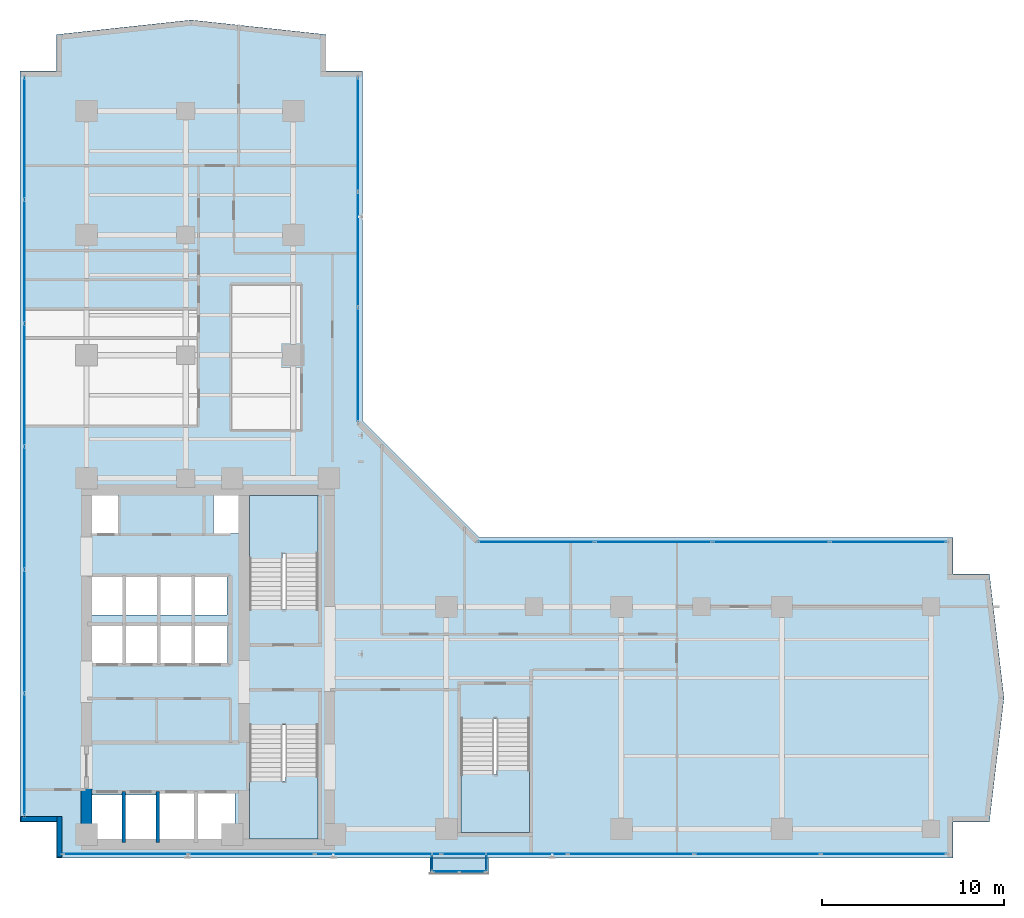
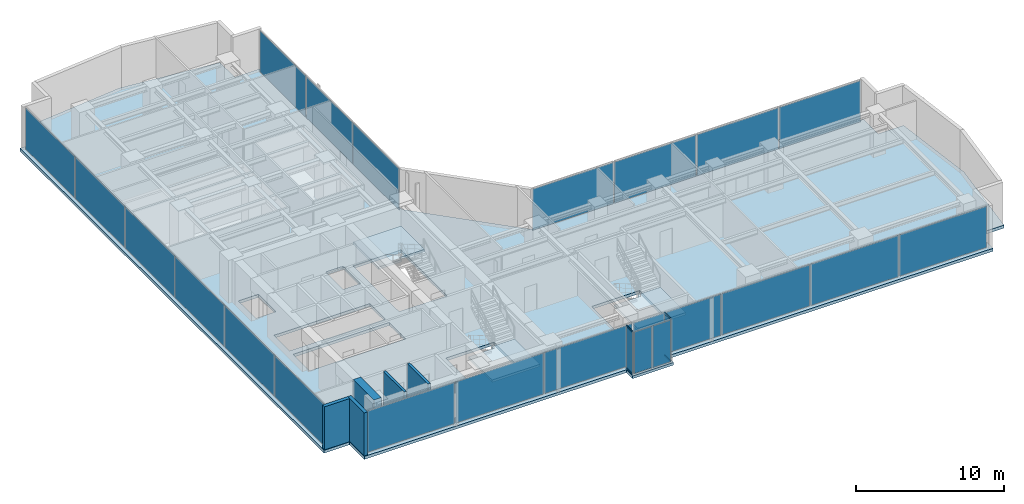
# One storey, part 18 of 24: 24 plates, 5 slabs, 5 walls, 4 members, 10 elements without a shape of their own.
"""IFC4 building model written with IfcOpenShell, lengths in metres."""

from ifc_helpers import new_model, si_unit, direction, frame, frame_2d, origin, origin_with_axes, origin_2d, place, context, subcontext, project, spatial, polyline, rectangle, hollow_rectangle, outline, extrude, source, transform, mapped, material, layer, layer_set, material_profile, profile_set, type_object, element, aggregate, save


model = new_model("IFC4")

# Units and contexts
model_context = context("Model", 3, precision=1e-05, world=origin(), true_north=direction((0.0, 1.0)))
body_context = subcontext(model_context, "Body", "Model", "MODEL_VIEW")
ifc_project = project(units=[si_unit("LENGTHUNIT", "METRE"), si_unit("AREAUNIT", "SQUARE_METRE"), si_unit("VOLUMEUNIT", "CUBIC_METRE"), si_unit("PLANEANGLEUNIT", "RADIAN"), si_unit("MASSUNIT", "GRAM", prefix="KILO")], contexts=[model_context])

# Site, building, storey
site_placement = place(None, origin())
site = spatial("IfcSite", under=ifc_project, at=site_placement, CompositionType="ELEMENT")
building_placement = place(site_placement, origin())
building = spatial("IfcBuilding", under=site, at=building_placement, Name="Kolvaren Waterfront Exchange", CompositionType="ELEMENT")
storey_placement = place(building_placement, frame((0.0, 0.0, 153.800048828125)))
storey = spatial("IfcBuildingStorey", under=building, at=storey_placement, Name="L39", CompositionType="ELEMENT", Elevation=153.800048828125)

# Curtain wall, members
ifc_material_1 = material(Name="Anodised bronze aluminium 6063-T6", Category="aluminium")
ifc_layer_1 = layer(ifc_material_1, 0.219970703125, Name="Anodised bronze aluminium 6063-T6")
ifc_layer_set_1 = layer_set([ifc_layer_1], Name="Anodised bronze aluminium 6063-T6")
curtain_wall_type_1 = type_object("IfcCurtainWallType", Name="ARC-CW-SYS3", PredefinedType="USERDEFINED", material=ifc_layer_set_1)
curtain_wall_1_placement = place(storey_placement, origin())
curtain_wall_1 = element("IfcCurtainWall", 1, at=curtain_wall_1_placement, inside=storey, type_object=curtain_wall_type_1, Name="L39 stick curtain wall CW3 (CW-L39-BOX-W)", ObjectType="STICK CURTAIN WALL", PredefinedType="USERDEFINED")
ifc_material_profile = material_profile(ifc_material_1, hollow_rectangle(XDim=0.06494140625, YDim=0.1298828125, WallThickness=0.00390625, at=origin_2d()), Name="ALU-TRN-130x65x4")
ifc_profile_set = profile_set([ifc_material_profile], Name="Anodised bronze aluminium 6063-T6")
member_type = type_object("IfcMemberType", Name="ARC-CWT-130", PredefinedType="USERDEFINED", material=ifc_profile_set)
shared_shape_1 = source(origin_with_axes(), body_context, "Body", "SweptSolid", [
    extrude(hollow_rectangle(XDim=0.06494140625, YDim=0.1298828125, WallThickness=0.00390625, at=origin_2d()), origin(), (0.0, 0.0, 1.0), 0.829833984375),
])
member_1_placement = place(storey_placement, frame((26.409912109375, 3.764892578125, 0.032470703125), z_axis=(0.0, -1.0, 0.0), x_axis=(1.0, 0.0, 0.0)))
member_1 = element("IfcMember", 2, at=member_1_placement, type_object=member_type, Name="CW3 transom 1.1", ObjectType="TRANSOM", PredefinedType="USERDEFINED", context=body_context, shape_type="MappedRepresentation", body=[
    mapped(shared_shape_1, transform((0.0, 0.0, 0.0), x_axis=(1.0, 0.0, 0.0), y_axis=(0.0, 1.0, 0.0), z_axis=(0.0, 0.0, 1.0), scale=1.0)),
])
member_2_placement = place(storey_placement, frame((26.409912109375, 3.764892578125, 3.52734375), z_axis=(0.0, -1.0, 0.0), x_axis=(1.0, 0.0, 0.0)))
member_2 = element("IfcMember", 3, at=member_2_placement, type_object=member_type, Name="CW3 transom 1.2", ObjectType="TRANSOM", PredefinedType="USERDEFINED", context=body_context, shape_type="MappedRepresentation", body=[
    mapped(shared_shape_1, transform((0.0, 0.0, 0.0), x_axis=(1.0, 0.0, 0.0), y_axis=(0.0, 1.0, 0.0), z_axis=(0.0, 0.0, 1.0), scale=1.0)),
])

curtain_wall_2_placement = place(storey_placement, origin())
curtain_wall_2 = element("IfcCurtainWall", 4, at=curtain_wall_2_placement, inside=storey, type_object=curtain_wall_type_1, Name="L39 stick curtain wall CW3 (CW-L39-BOX-E)", ObjectType="STICK CURTAIN WALL", PredefinedType="USERDEFINED")
member_3_placement = place(storey_placement, frame((29.389892578125, 2.93505859375, 0.032470703125), z_axis=(0.0, 1.0, 0.0), x_axis=(-1.0, 0.0, 0.0)))
member_3 = element("IfcMember", 5, at=member_3_placement, type_object=member_type, Name="CW3 transom 1.1", ObjectType="TRANSOM", PredefinedType="USERDEFINED", context=body_context, shape_type="MappedRepresentation", body=[
    mapped(shared_shape_1, transform((0.0, 0.0, 0.0), x_axis=(1.0, 0.0, 0.0), y_axis=(0.0, 1.0, 0.0), z_axis=(0.0, 0.0, 1.0), scale=1.0)),
])
member_4_placement = place(storey_placement, frame((29.389892578125, 2.93505859375, 3.52734375), z_axis=(0.0, 1.0, 0.0), x_axis=(-1.0, 0.0, 0.0)))
member_4 = element("IfcMember", 6, at=member_4_placement, type_object=member_type, Name="CW3 transom 1.2", ObjectType="TRANSOM", PredefinedType="USERDEFINED", context=body_context, shape_type="MappedRepresentation", body=[
    mapped(shared_shape_1, transform((0.0, 0.0, 0.0), x_axis=(1.0, 0.0, 0.0), y_axis=(0.0, 1.0, 0.0), z_axis=(0.0, 0.0, 1.0), scale=1.0)),
])

# Stair, slab
ifc_material_2 = material(Name="Concrete C40/50", Category="concrete")
stair_type = type_object("IfcStairType", Name="ARC-STAIR-3800", PredefinedType="HALF_TURN_STAIR", material=ifc_material_2)
stair_1_placement = place(storey_placement, origin())
stair_1 = element("IfcStair", 7, at=stair_1_placement, inside=storey, type_object=stair_type, Name="L39 Smoke-proof exit stair ST1", PredefinedType="HALF_TURN_STAIR")
ifc_layer_2 = layer(ifc_material_2, 0.199951171875, Name="Concrete C40/50")
ifc_layer_set_2 = layer_set([ifc_layer_2], Name="Concrete C40/50")
slab_type_1 = type_object("IfcSlabType", Name="STR-LANDING-200", PredefinedType="LANDING", material=ifc_layer_set_2)
slab_1_placement = place(storey_placement, frame((0.0, 0.0, 1.77587890625)))
slab_1 = element("IfcSlab", 8, at=slab_1_placement, type_object=slab_type_1, Name="ST1 landing 1", PredefinedType="LANDING", context=body_context, shape_type="SweptSolid", body=[
    extrude(outline(polyline([(16.39990234375, 7.840087890625), (16.39990234375, 4.64990234375), (20.159912109375, 4.64990234375), (20.159912109375, 8.10009765625), (18.360107421875, 8.10009765625), (18.360107421875, 7.840087890625), (16.39990234375, 7.840087890625)])), origin(), (0.0, 0.0, 1.0), 0.199951171875),
])
aggregate(stair_1, [slab_1])

stair_2_placement = place(storey_placement, origin())
stair_2 = element("IfcStair", 9, at=stair_2_placement, inside=storey, type_object=stair_type, Name="L39 Smoke-proof exit stair ST2", PredefinedType="HALF_TURN_STAIR")
slab_2_placement = place(storey_placement, frame((0.0, 0.0, 1.77587890625)))
slab_2 = element("IfcSlab", 10, at=slab_2_placement, type_object=slab_type_1, Name="ST2 landing 1", PredefinedType="LANDING", context=body_context, shape_type="SweptSolid", body=[
    extrude(outline(polyline([(20.159912109375, 20.31005859375), (20.159912109375, 23.5), (16.39990234375, 23.5), (16.39990234375, 20.050048828125), (18.199951171875, 20.050048828125), (18.199951171875, 20.31005859375), (20.159912109375, 20.31005859375)])), origin(), (0.0, 0.0, 1.0), 0.199951171875),
])
aggregate(stair_2, [slab_2])

stair_3_placement = place(storey_placement, origin())
stair_3 = element("IfcStair", 11, at=stair_3_placement, inside=storey, type_object=stair_type, Name="L39 Exit stair ST3", PredefinedType="HALF_TURN_STAIR")
slab_3_placement = place(storey_placement, frame((0.0, 0.0, 1.77587890625)))
slab_3 = element("IfcSlab", 12, at=slab_3_placement, type_object=slab_type_1, Name="ST3 landing 1", PredefinedType="LANDING", context=body_context, shape_type="SweptSolid", body=[
    extrude(outline(polyline([(28.0, 8.18994140625), (28.0, 5.0), (31.760009765625, 5.0), (31.760009765625, 8.449951171875), (29.9599609375, 8.449951171875), (29.9599609375, 8.18994140625), (28.0, 8.18994140625)])), origin(), (0.0, 0.0, 1.0), 0.199951171875),
])
aggregate(stair_3, [slab_3])

# Slabs
ifc_layer_3 = layer(ifc_material_2, 0.239990234375, Name="Concrete C40/50")
ifc_layer_set_3 = layer_set([ifc_layer_3], Name="Concrete C40/50")
slab_type_2 = type_object("IfcSlabType", Name="STR-SLAB-240", PredefinedType="FLOOR", material=ifc_layer_set_3)
slab_4_placement = place(storey_placement, frame((0.0, 0.0, -0.239990234375)))
element("IfcSlab", 13, at=slab_4_placement, inside=storey, type_object=slab_type_2, Name="L39 structural floor slab", PredefinedType="FLOOR", context=body_context, shape_type="SweptSolid", body=[
    extrude(outline(polyline([(5.800048828125, 3.60009765625), (55.0, 3.60009765625), (55.0, 5.60009765625), (57.0, 5.60009765625), (57.800048828125, 12.39990234375), (57.0, 19.199951171875), (55.0, 19.199951171875), (55.0, 21.199951171875), (29.0, 21.199951171875), (22.60009765625, 27.60009765625), (22.60009765625, 46.800048828125), (20.60009765625, 46.800048828125), (20.60009765625, 48.800048828125), (13.199951171875, 49.60009765625), (5.800048828125, 48.800048828125), (5.800048828125, 46.800048828125), (3.800048828125, 46.800048828125), (3.800048828125, 5.60009765625), (5.800048828125, 5.60009765625), (5.800048828125, 3.60009765625)]), holes=[polyline([(11.320068359375, 7.260009765625), (15.610107421875, 7.260009765625), (15.610107421875, 4.5400390625), (7.719970703125, 4.5400390625), (7.719970703125, 7.06005859375), (11.320068359375, 7.06005859375), (11.320068359375, 7.260009765625)]), polyline([(20.159912109375, 10.89990234375), (20.159912109375, 4.64990234375), (16.39990234375, 4.64990234375), (16.39990234375, 10.89990234375), (20.159912109375, 10.89990234375)]), polyline([(31.760009765625, 11.25), (31.760009765625, 5.0), (28.0, 5.0), (28.0, 11.25), (31.760009765625, 11.25)]), polyline([(15.18505859375, 14.239990234375), (7.64501953125, 14.239990234375), (7.64501953125, 16.4599609375), (15.18505859375, 16.4599609375), (15.18505859375, 14.239990234375)]), polyline([(15.159912109375, 16.93994140625), (7.669921875, 16.93994140625), (7.669921875, 19.06005859375), (15.159912109375, 19.06005859375), (15.159912109375, 16.93994140625)]), polyline([(16.39990234375, 23.5), (20.159912109375, 23.5), (20.159912109375, 17.25), (16.39990234375, 17.25), (16.39990234375, 23.5)]), polyline([(7.60009765625, 23.780029296875), (9.179931640625, 23.780029296875), (9.179931640625, 21.419921875), (7.60009765625, 21.419921875), (7.60009765625, 23.780029296875)]), polyline([(15.800048828125, 23.780029296875), (15.800048828125, 21.419921875), (14.419921875, 21.419921875), (14.419921875, 23.780029296875), (15.800048828125, 23.780029296875)])]), origin(), (0.0, 0.0, 1.0), 0.239990234375),
])
ifc_layer_4 = layer(ifc_material_2, 0.219970703125, Name="Concrete C40/50")
ifc_layer_set_4 = layer_set([ifc_layer_4], Name="Concrete C40/50")
slab_type_3 = type_object("IfcSlabType", Name="STR-TERR-220", PredefinedType="FLOOR", material=ifc_layer_set_4)
slab_5_placement = place(storey_placement, frame((0.0, 0.0, -0.219970703125)))
element("IfcSlab", 14, at=slab_5_placement, inside=storey, type_object=slab_type_3, Name="L39 projecting bay-box floor strip", PredefinedType="FLOOR", context=body_context, shape_type="SweptSolid", body=[
    extrude(outline(polyline([(26.300048828125, 2.75), (29.5, 2.75), (29.5, 3.60009765625), (26.300048828125, 3.60009765625), (26.300048828125, 2.75)])), origin(), (0.0, 0.0, 1.0), 0.219970703125),
])

# Plate
ifc_material_3 = material(Name="Bronze tinted bay-box vision glass", Category="aluminium")
ifc_layer_5 = layer(ifc_material_3, 0.02392578125, Name="Bronze tinted bay-box vision glass")
ifc_layer_set_5 = layer_set([ifc_layer_5], Name="Bronze tinted bay-box vision glass")
plate_type_1 = type_object("IfcPlateType", Name="ARC-CWP-24", PredefinedType="CURTAIN_PANEL", material=ifc_layer_set_5)
shared_shape_2 = source(origin_with_axes(), body_context, "Body", "SweptSolid", [
    extrude(rectangle(XDim=0.830078125, YDim=0.02392578125, at=origin_2d()), origin(), (0.0, 0.0, 1.0), 3.429931640625),
])
plate_1_placement = place(storey_placement, frame((26.409912109375, 3.35009765625, 0.06494140625), z_axis=(0.0, 0.0, 1.0), x_axis=(0.0, -1.0, 0.0)))
plate_1 = element("IfcPlate", 15, at=plate_1_placement, type_object=plate_type_1, Name="CW3 panel 1.1", PredefinedType="CURTAIN_PANEL", context=body_context, shape_type="MappedRepresentation", body=[
    mapped(shared_shape_2, transform((0.0, 0.0, 0.0), x_axis=(1.0, 0.0, 0.0), y_axis=(0.0, 1.0, 0.0), z_axis=(0.0, 0.0, 1.0), scale=1.0)),
])

aggregate(curtain_wall_1, [member_1, member_2, plate_1])

plate_2_placement = place(storey_placement, frame((29.389892578125, 3.35009765625, 0.06494140625), z_axis=(0.0, 0.0, 1.0), x_axis=(0.0, 1.0, 0.0)))
plate_2 = element("IfcPlate", 16, at=plate_2_placement, type_object=plate_type_1, Name="CW3 panel 1.1", PredefinedType="CURTAIN_PANEL", context=body_context, shape_type="MappedRepresentation", body=[
    mapped(shared_shape_2, transform((0.0, 0.0, 0.0), x_axis=(1.0, 0.0, 0.0), y_axis=(0.0, 1.0, 0.0), z_axis=(0.0, 0.0, 1.0), scale=1.0)),
])

aggregate(curtain_wall_2, [member_3, member_4, plate_2])

# Curtain wall, plates
curtain_wall_3_placement = place(storey_placement, origin())
curtain_wall_3 = element("IfcCurtainWall", 17, at=curtain_wall_3_placement, inside=storey, type_object=curtain_wall_type_1, Name="L39 stick curtain wall CW3 (CW-L39-BOX)", ObjectType="STICK CURTAIN WALL", PredefinedType="USERDEFINED")
shared_shape_3 = source(origin_with_axes(), body_context, "Body", "SweptSolid", [
    extrude(rectangle(XDim=1.37744140625, YDim=0.02392578125, at=origin_2d()), origin(), (0.0, 0.0, 1.0), 3.429931640625),
])
plate_3_placement = place(storey_placement, frame((27.173828125, 2.860107421875, 0.06494140625), z_axis=(0.0, 0.0, 1.0), x_axis=(1.0, 0.0, 0.0)))
plate_3 = element("IfcPlate", 18, at=plate_3_placement, type_object=plate_type_1, Name="CW3 panel 1.1", PredefinedType="CURTAIN_PANEL", context=body_context, shape_type="MappedRepresentation", body=[
    mapped(shared_shape_3, transform((0.0, 0.0, 0.0), x_axis=(1.0, 0.0, 0.0), y_axis=(0.0, 1.0, 0.0), z_axis=(0.0, 0.0, 1.0), scale=1.0)),
])
plate_4_placement = place(storey_placement, frame((28.626220703125, 2.860107421875, 0.06494140625), z_axis=(0.0, 0.0, 1.0), x_axis=(1.0, 0.0, 0.0)))
plate_4 = element("IfcPlate", 19, at=plate_4_placement, type_object=plate_type_1, Name="CW3 panel 2.1", PredefinedType="CURTAIN_PANEL", context=body_context, shape_type="MappedRepresentation", body=[
    mapped(shared_shape_3, transform((0.0, 0.0, 0.0), x_axis=(1.0, 0.0, 0.0), y_axis=(0.0, 1.0, 0.0), z_axis=(0.0, 0.0, 1.0), scale=1.0)),
])
aggregate(curtain_wall_3, [plate_3, plate_4])

ifc_layer_6 = layer(ifc_material_1, 0.219970703125, Name="Anodised bronze aluminium 6063-T6")
ifc_layer_set_6 = layer_set([ifc_layer_6], Name="Anodised bronze aluminium 6063-T6")
curtain_wall_type_2 = type_object("IfcCurtainWallType", Name="ARC-CW-SYS1", PredefinedType="USERDEFINED", material=ifc_layer_set_6)
curtain_wall_4_placement = place(storey_placement, origin())
curtain_wall_4 = element("IfcCurtainWall", 20, at=curtain_wall_4_placement, inside=storey, type_object=curtain_wall_type_2, Name="L39 stick curtain wall CW1 (CW-L39-S)", ObjectType="STICK CURTAIN WALL", PredefinedType="USERDEFINED")
ifc_material_4 = material(Name="Bronze solar control vision glass", Category="aluminium")
ifc_layer_7 = layer(ifc_material_4, 0.028076171875, Name="Bronze solar control vision glass")
ifc_layer_set_7 = layer_set([ifc_layer_7], Name="Bronze solar control vision glass")
plate_type_2 = type_object("IfcPlateType", Name="ARC-CWP-28", PredefinedType="CURTAIN_PANEL", material=ifc_layer_set_7)
shared_shape_4 = source(origin_with_axes(), body_context, "Body", "SweptSolid", [
    extrude(rectangle(XDim=6.82275390625, YDim=0.028076171875, at=origin_2d()), origin(), (0.0, 0.0, 1.0), 3.409912109375),
])
plate_5_placement = place(storey_placement, frame((9.59130859375, 3.840087890625, 0.0751953125), z_axis=(0.0, 0.0, 1.0), x_axis=(1.0, 0.0, 0.0)))
plate_5 = element("IfcPlate", 21, at=plate_5_placement, type_object=plate_type_2, Name="CW1 panel 1.1", PredefinedType="CURTAIN_PANEL", context=body_context, shape_type="MappedRepresentation", body=[
    mapped(shared_shape_4, transform((0.0, 0.0, 0.0), x_axis=(1.0, 0.0, 0.0), y_axis=(0.0, 1.0, 0.0), z_axis=(0.0, 0.0, 1.0), scale=1.0)),
])
plate_6_placement = place(storey_placement, frame((51.20849609375, 3.840087890625, 0.0751953125), z_axis=(0.0, 0.0, 1.0), x_axis=(1.0, 0.0, 0.0)))
plate_6 = element("IfcPlate", 22, at=plate_6_placement, type_object=plate_type_2, Name="CW1 panel 7.1", PredefinedType="CURTAIN_PANEL", context=body_context, shape_type="MappedRepresentation", body=[
    mapped(shared_shape_4, transform((0.0, 0.0, 0.0), x_axis=(1.0, 0.0, 0.0), y_axis=(0.0, 1.0, 0.0), z_axis=(0.0, 0.0, 1.0), scale=1.0)),
])
shared_shape_5 = source(origin_with_axes(), body_context, "Body", "SweptSolid", [
    extrude(rectangle(XDim=6.86279296875, YDim=0.028076171875, at=origin_2d()), origin(), (0.0, 0.0, 1.0), 3.409912109375),
])
plate_7_placement = place(storey_placement, frame((16.514404296875, 3.840087890625, 0.0751953125), z_axis=(0.0, 0.0, 1.0), x_axis=(1.0, 0.0, 0.0)))
plate_7 = element("IfcPlate", 23, at=plate_7_placement, type_object=plate_type_2, Name="CW1 panel 2.1", PredefinedType="CURTAIN_PANEL", context=body_context, shape_type="MappedRepresentation", body=[
    mapped(shared_shape_5, transform((0.0, 0.0, 0.0), x_axis=(1.0, 0.0, 0.0), y_axis=(0.0, 1.0, 0.0), z_axis=(0.0, 0.0, 1.0), scale=1.0)),
])
plate_8_placement = place(storey_placement, frame((23.45703125, 3.840087890625, 0.0751953125), z_axis=(0.0, 0.0, 1.0), x_axis=(1.0, 0.0, 0.0)))
plate_8 = element("IfcPlate", 24, at=plate_8_placement, type_object=plate_type_2, Name="CW1 panel 3.1", PredefinedType="CURTAIN_PANEL", context=body_context, shape_type="MappedRepresentation", body=[
    mapped(shared_shape_5, transform((0.0, 0.0, 0.0), x_axis=(1.0, 0.0, 0.0), y_axis=(0.0, 1.0, 0.0), z_axis=(0.0, 0.0, 1.0), scale=1.0)),
])
plate_9_placement = place(storey_placement, frame((30.39990234375, 3.840087890625, 0.0751953125), z_axis=(0.0, 0.0, 1.0), x_axis=(1.0, 0.0, 0.0)))
plate_9 = element("IfcPlate", 25, at=plate_9_placement, type_object=plate_type_2, Name="CW1 panel 4.1", PredefinedType="CURTAIN_PANEL", context=body_context, shape_type="MappedRepresentation", body=[
    mapped(shared_shape_5, transform((0.0, 0.0, 0.0), x_axis=(1.0, 0.0, 0.0), y_axis=(0.0, 1.0, 0.0), z_axis=(0.0, 0.0, 1.0), scale=1.0)),
])
plate_10_placement = place(storey_placement, frame((37.3427734375, 3.840087890625, 0.0751953125), z_axis=(0.0, 0.0, 1.0), x_axis=(1.0, 0.0, 0.0)))
plate_10 = element("IfcPlate", 26, at=plate_10_placement, type_object=plate_type_2, Name="CW1 panel 5.1", PredefinedType="CURTAIN_PANEL", context=body_context, shape_type="MappedRepresentation", body=[
    mapped(shared_shape_5, transform((0.0, 0.0, 0.0), x_axis=(1.0, 0.0, 0.0), y_axis=(0.0, 1.0, 0.0), z_axis=(0.0, 0.0, 1.0), scale=1.0)),
])
plate_11_placement = place(storey_placement, frame((44.28564453125, 3.840087890625, 0.0751953125), z_axis=(0.0, 0.0, 1.0), x_axis=(1.0, 0.0, 0.0)))
plate_11 = element("IfcPlate", 27, at=plate_11_placement, type_object=plate_type_2, Name="CW1 panel 6.1", PredefinedType="CURTAIN_PANEL", context=body_context, shape_type="MappedRepresentation", body=[
    mapped(shared_shape_5, transform((0.0, 0.0, 0.0), x_axis=(1.0, 0.0, 0.0), y_axis=(0.0, 1.0, 0.0), z_axis=(0.0, 0.0, 1.0), scale=1.0)),
])
aggregate(curtain_wall_4, [plate_5, plate_7, plate_8, plate_9, plate_10, plate_11, plate_6])

curtain_wall_5_placement = place(storey_placement, origin())
curtain_wall_5 = element("IfcCurtainWall", 28, at=curtain_wall_5_placement, inside=storey, type_object=curtain_wall_type_2, Name="L39 stick curtain wall CW1 (CW-L39-NE)", ObjectType="STICK CURTAIN WALL", PredefinedType="USERDEFINED")
shared_shape_6 = source(origin_with_axes(), body_context, "Body", "SweptSolid", [
    extrude(rectangle(XDim=6.216552734375, YDim=0.028076171875, at=origin_2d()), origin(), (0.0, 0.0, 1.0), 3.409912109375),
])
plate_12_placement = place(storey_placement, frame((22.360107421875, 30.67822265625, 0.0751953125), z_axis=(0.0, 0.0, 1.0), x_axis=(0.0, 1.0, 0.0)))
plate_12 = element("IfcPlate", 29, at=plate_12_placement, type_object=plate_type_2, Name="CW1 panel 1.1", PredefinedType="CURTAIN_PANEL", context=body_context, shape_type="MappedRepresentation", body=[
    mapped(shared_shape_6, transform((0.0, 0.0, 0.0), x_axis=(1.0, 0.0, 0.0), y_axis=(0.0, 1.0, 0.0), z_axis=(0.0, 0.0, 1.0), scale=1.0)),
])
plate_13_placement = place(storey_placement, frame((22.360107421875, 43.311767578125, 0.0751953125), z_axis=(0.0, 0.0, 1.0), x_axis=(0.0, 1.0, 0.0)))
plate_13 = element("IfcPlate", 30, at=plate_13_placement, type_object=plate_type_2, Name="CW1 panel 3.1", PredefinedType="CURTAIN_PANEL", context=body_context, shape_type="MappedRepresentation", body=[
    mapped(shared_shape_6, transform((0.0, 0.0, 0.0), x_axis=(1.0, 0.0, 0.0), y_axis=(0.0, 1.0, 0.0), z_axis=(0.0, 0.0, 1.0), scale=1.0)),
])
shared_shape_7 = source(origin_with_axes(), body_context, "Body", "SweptSolid", [
    extrude(rectangle(XDim=6.256591796875, YDim=0.028076171875, at=origin_2d()), origin(), (0.0, 0.0, 1.0), 3.409912109375),
])
plate_14_placement = place(storey_placement, frame((22.360107421875, 36.9951171875, 0.0751953125), z_axis=(0.0, 0.0, 1.0), x_axis=(0.0, 1.0, 0.0)))
plate_14 = element("IfcPlate", 31, at=plate_14_placement, type_object=plate_type_2, Name="CW1 panel 2.1", PredefinedType="CURTAIN_PANEL", context=body_context, shape_type="MappedRepresentation", body=[
    mapped(shared_shape_7, transform((0.0, 0.0, 0.0), x_axis=(1.0, 0.0, 0.0), y_axis=(0.0, 1.0, 0.0), z_axis=(0.0, 0.0, 1.0), scale=1.0)),
])
aggregate(curtain_wall_5, [plate_12, plate_14, plate_13])

curtain_wall_6_placement = place(storey_placement, origin())
curtain_wall_6 = element("IfcCurtainWall", 32, at=curtain_wall_6_placement, inside=storey, type_object=curtain_wall_type_2, Name="L39 stick curtain wall CW1 (CW-L39-EN)", ObjectType="STICK CURTAIN WALL", PredefinedType="USERDEFINED")
shared_shape_8 = source(origin_with_axes(), body_context, "Body", "SweptSolid", [
    extrude(rectangle(XDim=6.33251953125, YDim=0.028076171875, at=origin_2d()), origin(), (0.0, 0.0, 1.0), 3.409912109375),
])
plate_15_placement = place(storey_placement, frame((32.13623046875, 20.9599609375, 0.0751953125), z_axis=(0.0, 0.0, 1.0), x_axis=(1.0, 0.0, 0.0)))
plate_15 = element("IfcPlate", 33, at=plate_15_placement, type_object=plate_type_2, Name="CW1 panel 1.1", PredefinedType="CURTAIN_PANEL", context=body_context, shape_type="MappedRepresentation", body=[
    mapped(shared_shape_8, transform((0.0, 0.0, 0.0), x_axis=(1.0, 0.0, 0.0), y_axis=(0.0, 1.0, 0.0), z_axis=(0.0, 0.0, 1.0), scale=1.0)),
])
plate_16_placement = place(storey_placement, frame((51.453857421875, 20.9599609375, 0.0751953125), z_axis=(0.0, 0.0, 1.0), x_axis=(1.0, 0.0, 0.0)))
plate_16 = element("IfcPlate", 34, at=plate_16_placement, type_object=plate_type_2, Name="CW1 panel 4.1", PredefinedType="CURTAIN_PANEL", context=body_context, shape_type="MappedRepresentation", body=[
    mapped(shared_shape_8, transform((0.0, 0.0, 0.0), x_axis=(1.0, 0.0, 0.0), y_axis=(0.0, 1.0, 0.0), z_axis=(0.0, 0.0, 1.0), scale=1.0)),
])
shared_shape_9 = source(origin_with_axes(), body_context, "Body", "SweptSolid", [
    extrude(rectangle(XDim=6.37255859375, YDim=0.028076171875, at=origin_2d()), origin(), (0.0, 0.0, 1.0), 3.409912109375),
])
plate_17_placement = place(storey_placement, frame((38.56884765625, 20.9599609375, 0.0751953125), z_axis=(0.0, 0.0, 1.0), x_axis=(1.0, 0.0, 0.0)))
plate_17 = element("IfcPlate", 35, at=plate_17_placement, type_object=plate_type_2, Name="CW1 panel 2.1", PredefinedType="CURTAIN_PANEL", context=body_context, shape_type="MappedRepresentation", body=[
    mapped(shared_shape_9, transform((0.0, 0.0, 0.0), x_axis=(1.0, 0.0, 0.0), y_axis=(0.0, 1.0, 0.0), z_axis=(0.0, 0.0, 1.0), scale=1.0)),
])
plate_18_placement = place(storey_placement, frame((45.021240234375, 20.9599609375, 0.0751953125), z_axis=(0.0, 0.0, 1.0), x_axis=(1.0, 0.0, 0.0)))
plate_18 = element("IfcPlate", 36, at=plate_18_placement, type_object=plate_type_2, Name="CW1 panel 3.1", PredefinedType="CURTAIN_PANEL", context=body_context, shape_type="MappedRepresentation", body=[
    mapped(shared_shape_9, transform((0.0, 0.0, 0.0), x_axis=(1.0, 0.0, 0.0), y_axis=(0.0, 1.0, 0.0), z_axis=(0.0, 0.0, 1.0), scale=1.0)),
])
aggregate(curtain_wall_6, [plate_15, plate_17, plate_18, plate_16])

ifc_material_5 = material(Name="Anodised aluminium 6063-T6", Category="aluminium")
ifc_layer_8 = layer(ifc_material_5, 0.219970703125, Name="Anodised aluminium 6063-T6")
ifc_layer_set_8 = layer_set([ifc_layer_8], Name="Anodised aluminium 6063-T6")
curtain_wall_type_3 = type_object("IfcCurtainWallType", Name="ARC-CW-SYS2", PredefinedType="USERDEFINED", material=ifc_layer_set_8)
curtain_wall_7_placement = place(storey_placement, origin())
curtain_wall_7 = element("IfcCurtainWall", 37, at=curtain_wall_7_placement, inside=storey, type_object=curtain_wall_type_3, Name="L39 stick curtain wall CW2 (CW-L39-W)", ObjectType="STICK CURTAIN WALL", PredefinedType="USERDEFINED")
ifc_material_6 = material(Name="Acoustic laminated vision glass", Category="glass")
ifc_layer_9 = layer(ifc_material_6, 0.031982421875, Name="Acoustic laminated vision glass")
ifc_layer_set_9 = layer_set([ifc_layer_9], Name="Acoustic laminated vision glass")
plate_type_3 = type_object("IfcPlateType", Name="ARC-CWP-32", PredefinedType="CURTAIN_PANEL", material=ifc_layer_set_9)
shared_shape_10 = source(origin_with_axes(), body_context, "Body", "SweptSolid", [
    extrude(rectangle(XDim=6.646728515625, YDim=0.031982421875, at=origin_2d()), origin(), (0.0, 0.0, 1.0), 3.409912109375),
])
plate_19_placement = place(storey_placement, frame((4.0400390625, 9.30322265625, 0.0751953125), z_axis=(0.0, 0.0, 1.0), x_axis=(0.0, 1.0, 0.0)))
plate_19 = element("IfcPlate", 38, at=plate_19_placement, type_object=plate_type_3, Name="CW2 panel 1.1", PredefinedType="CURTAIN_PANEL", context=body_context, shape_type="MappedRepresentation", body=[
    mapped(shared_shape_10, transform((0.0, 0.0, 0.0), x_axis=(1.0, 0.0, 0.0), y_axis=(0.0, 1.0, 0.0), z_axis=(0.0, 0.0, 1.0), scale=1.0)),
])
plate_20_placement = place(storey_placement, frame((4.0400390625, 43.0966796875, 0.0751953125), z_axis=(0.0, 0.0, 1.0), x_axis=(0.0, 1.0, 0.0)))
plate_20 = element("IfcPlate", 39, at=plate_20_placement, type_object=plate_type_3, Name="CW2 panel 6.1", PredefinedType="CURTAIN_PANEL", context=body_context, shape_type="MappedRepresentation", body=[
    mapped(shared_shape_10, transform((0.0, 0.0, 0.0), x_axis=(1.0, 0.0, 0.0), y_axis=(0.0, 1.0, 0.0), z_axis=(0.0, 0.0, 1.0), scale=1.0)),
])
shared_shape_11 = source(origin_with_axes(), body_context, "Body", "SweptSolid", [
    extrude(rectangle(XDim=6.686767578125, YDim=0.031982421875, at=origin_2d()), origin(), (0.0, 0.0, 1.0), 3.409912109375),
])
plate_21_placement = place(storey_placement, frame((4.0400390625, 16.050048828125, 0.0751953125), z_axis=(0.0, 0.0, 1.0), x_axis=(0.0, 1.0, 0.0)))
plate_21 = element("IfcPlate", 40, at=plate_21_placement, type_object=plate_type_3, Name="CW2 panel 2.1", PredefinedType="CURTAIN_PANEL", context=body_context, shape_type="MappedRepresentation", body=[
    mapped(shared_shape_11, transform((0.0, 0.0, 0.0), x_axis=(1.0, 0.0, 0.0), y_axis=(0.0, 1.0, 0.0), z_axis=(0.0, 0.0, 1.0), scale=1.0)),
])
plate_22_placement = place(storey_placement, frame((4.0400390625, 22.816650390625, 0.0751953125), z_axis=(0.0, 0.0, 1.0), x_axis=(0.0, 1.0, 0.0)))
plate_22 = element("IfcPlate", 41, at=plate_22_placement, type_object=plate_type_3, Name="CW2 panel 3.1", PredefinedType="CURTAIN_PANEL", context=body_context, shape_type="MappedRepresentation", body=[
    mapped(shared_shape_11, transform((0.0, 0.0, 0.0), x_axis=(1.0, 0.0, 0.0), y_axis=(0.0, 1.0, 0.0), z_axis=(0.0, 0.0, 1.0), scale=1.0)),
])
plate_23_placement = place(storey_placement, frame((4.0400390625, 29.583251953125, 0.0751953125), z_axis=(0.0, 0.0, 1.0), x_axis=(0.0, 1.0, 0.0)))
plate_23 = element("IfcPlate", 42, at=plate_23_placement, type_object=plate_type_3, Name="CW2 panel 4.1", PredefinedType="CURTAIN_PANEL", context=body_context, shape_type="MappedRepresentation", body=[
    mapped(shared_shape_11, transform((0.0, 0.0, 0.0), x_axis=(1.0, 0.0, 0.0), y_axis=(0.0, 1.0, 0.0), z_axis=(0.0, 0.0, 1.0), scale=1.0)),
])
plate_24_placement = place(storey_placement, frame((4.0400390625, 36.35009765625, 0.0751953125), z_axis=(0.0, 0.0, 1.0), x_axis=(0.0, 1.0, 0.0)))
plate_24 = element("IfcPlate", 43, at=plate_24_placement, type_object=plate_type_3, Name="CW2 panel 5.1", PredefinedType="CURTAIN_PANEL", context=body_context, shape_type="MappedRepresentation", body=[
    mapped(shared_shape_11, transform((0.0, 0.0, 0.0), x_axis=(1.0, 0.0, 0.0), y_axis=(0.0, 1.0, 0.0), z_axis=(0.0, 0.0, 1.0), scale=1.0)),
])
aggregate(curtain_wall_7, [plate_19, plate_21, plate_22, plate_23, plate_24, plate_20])

# Walls
ifc_material_7 = material(Name="Precast concrete C40/50", Category="concrete")
ifc_layer_10 = layer(ifc_material_7, 0.280029296875, Name="Precast concrete C40/50")
ifc_layer_set_10 = layer_set([ifc_layer_10], Name="Precast concrete C40/50")
wall_type_1 = type_object("IfcWallType", Name="ARC-EXT-TERR-280", PredefinedType="SOLIDWALL", material=ifc_layer_set_10)
wall_1_placement = place(storey_placement, frame((5.9599609375, 3.659912109375, 0.0), z_axis=(0.0, 0.0, 1.0), x_axis=(0.0, 1.0, 0.0)))
element("IfcWall", 44, at=wall_1_placement, inside=storey, type_object=wall_type_1, Name="L39 notched corner spandrel pier SW-A", PredefinedType="SOLIDWALL", context=body_context, shape_type="SweptSolid", body=[
    extrude(rectangle(XDim=2.239990234375, YDim=0.280029296875, at=frame_2d((1.1201171875, 0.0))), origin(), (0.0, 0.0, 1.0), 3.56005859375),
])
wall_2_placement = place(storey_placement, frame((3.860107421875, 5.760009765625, 0.0), z_axis=(0.0, 0.0, 1.0), x_axis=(1.0, 0.0, 0.0)))
element("IfcWall", 45, at=wall_2_placement, inside=storey, type_object=wall_type_1, Name="L39 notched corner spandrel pier SW-B", PredefinedType="SOLIDWALL", context=body_context, shape_type="SweptSolid", body=[
    extrude(rectangle(XDim=1.9599609375, YDim=0.280029296875, at=frame_2d((0.97998046875, 0.0))), origin(), (0.0, 0.0, 1.0), 3.56005859375),
])
ifc_layer_11 = layer(ifc_material_2, 0.199951171875, Name="Concrete C40/50")
ifc_layer_set_11 = layer_set([ifc_layer_11], Name="Concrete C40/50")
wall_type_2 = type_object("IfcWallType", Name="ARC-SHAFT-200", PredefinedType="PARTITIONING", material=ifc_layer_set_11)
for number, where, z_axis, x_axis, name in (
    (46, (9.5, 4.449951171875, 0.0), (0.0, 0.0, 1.0), (0.0, 1.0, 0.0), "L39 interior wall PW-L39-SH1-DIV-95"),
    (47, (11.360107421875, 4.449951171875, 0.0), (0.0, 0.0, 1.0), (0.0, 1.0, 0.0), "L39 interior wall PW-L39-SH1-DIV-113"),
):
    element("IfcWall", number, at=place(storey_placement, frame(where, z_axis=z_axis, x_axis=x_axis)), inside=storey, type_object=wall_type_2, Name=name, PredefinedType="PARTITIONING", context=body_context, shape_type="SweptSolid", body=[
        extrude(rectangle(XDim=2.800048828125, YDim=0.199951171875, at=frame_2d((1.39990234375, 0.0))), origin(), (0.0, 0.0, 1.0), 3.56005859375),
    ])
ifc_material_8 = material(Name="Concrete C60/75", Category="concrete")
ifc_layer_12 = layer(ifc_material_8, 0.60009765625, Name="Concrete C60/75")
ifc_layer_set_12 = layer_set([ifc_layer_12], Name="Concrete C60/75")
wall_type_3 = type_object("IfcWallType", Name="STR-CWALL-600", PredefinedType="SHEAR", material=ifc_layer_set_12)
wall_3_placement = place(storey_placement, frame((7.449951171875, 4.64990234375, 0.0), z_axis=(0.0, 0.0, 1.0), x_axis=(0.0, 1.0, 0.0)))
element("IfcWall", 48, at=wall_3_placement, inside=storey, type_object=wall_type_3, Name="L39 rear-core shear wall W1", PredefinedType="SHEAR", context=body_context, shape_type="SweptSolid", body=[
    extrude(rectangle(XDim=2.800048828125, YDim=0.60009765625, at=frame_2d((1.39990234375, 0.0))), origin(), (0.0, 0.0, 1.0), 3.56005859375),
])

save(model, "model.ifc")
